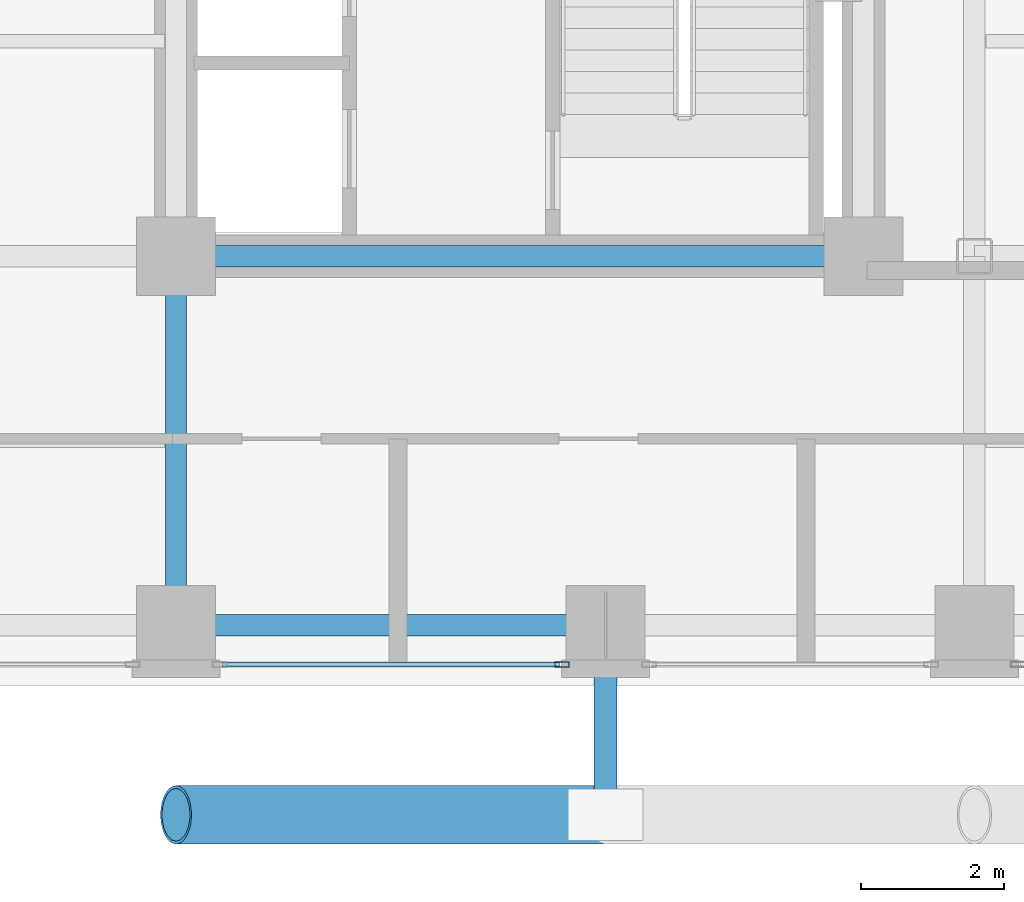
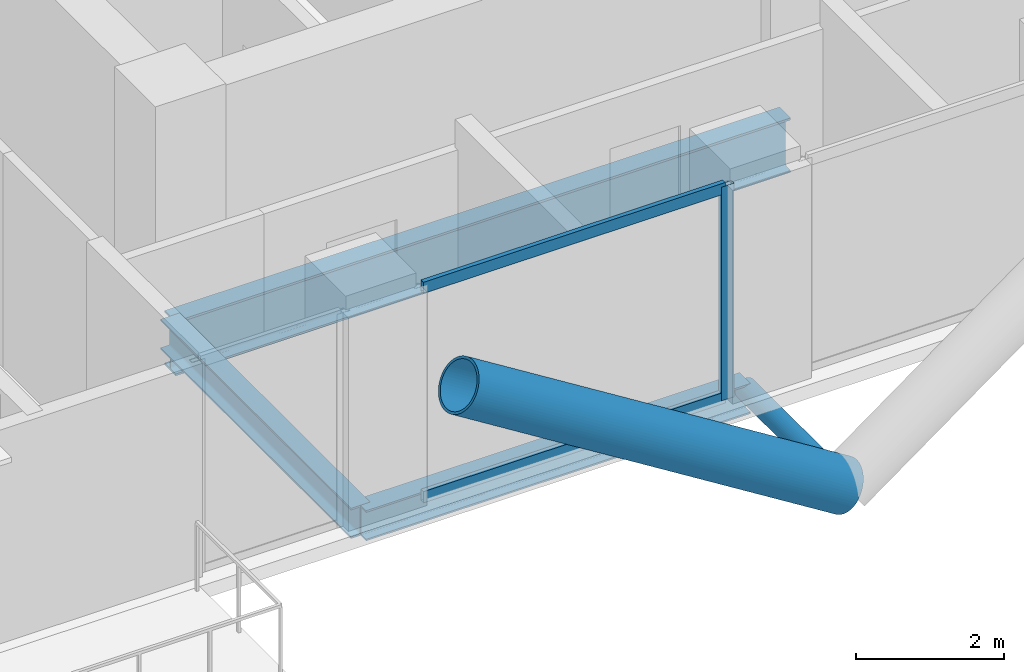
# One storey, part 4 of 24: 5 members, 3 beams, 1 element without a shape of its own.
"""IFC4 building model written with IfcOpenShell, lengths in metres."""

from ifc_helpers import new_model, si_unit, direction, frame, origin, origin_2d, place, context, subcontext, project, spatial, hollow_rectangle, hollow_circle, i_section, extrude, material, layer, layer_set, material_profile, profile_set, type_object, element, aggregate, save


model = new_model("IFC4")

# Units and contexts
model_context = context("Model", 3, precision=1e-05, world=origin(), true_north=direction((0.0, 1.0)))
body_context = subcontext(model_context, "Body", "Model", "MODEL_VIEW")
ifc_project = project(units=[si_unit("LENGTHUNIT", "METRE"), si_unit("AREAUNIT", "SQUARE_METRE"), si_unit("VOLUMEUNIT", "CUBIC_METRE"), si_unit("PLANEANGLEUNIT", "RADIAN"), si_unit("MASSUNIT", "GRAM", prefix="KILO"), si_unit("THERMODYNAMICTEMPERATUREUNIT", "KELVIN"), si_unit("POWERUNIT", "WATT")], contexts=[model_context])

# Site, building, storey
site_placement = place(None, origin())
site = spatial("IfcSite", under=ifc_project, at=site_placement, CompositionType="ELEMENT")
building_placement = place(site_placement, origin())
building = spatial("IfcBuilding", under=site, at=building_placement, Name="Svarakhadi Broadcast Tower", CompositionType="ELEMENT")
storey_placement = place(building_placement, frame((0.0, 0.0, 126.89990234375)))
storey = spatial("IfcBuildingStorey", under=building, at=storey_placement, Name="L30", CompositionType="ELEMENT", Elevation=126.89990234375)

# Curtain wall, members
ifc_material_1 = material(Name="Anodised Bronze Aluminium AA 6063-T6", Category="aluminium")
ifc_layer = layer(ifc_material_1, 0.199951171875)
ifc_layer_set = layer_set([ifc_layer], Name="Anodised Bronze Aluminium AA 6063-T6")
curtain_wall_type = type_object("IfcCurtainWallType", Name="CW_Sys_03", PredefinedType="NOTDEFINED", material=ifc_layer_set)
curtain_wall_placement = place(storey_placement, origin())
curtain_wall = element("IfcCurtainWall", 1, at=curtain_wall_placement, inside=storey, type_object=curtain_wall_type, Name="L30 South Curtain Wall 16 Bay 3", PredefinedType="NOTDEFINED")
ifc_material_profile_1 = material_profile(ifc_material_1, hollow_rectangle(XDim=0.074951171875, YDim=0.199951171875, WallThickness=0.005615234375, at=origin_2d()), Name="ALU MULLION 200x75x6")
ifc_profile_set_1 = profile_set([ifc_material_profile_1], Name="Anodised Bronze Aluminium AA 6063-T6")
member_type_1 = type_object("IfcMemberType", Name="CW_Sys_03_Mul", PredefinedType="MULLION", material=ifc_profile_set_1)
member_1_placement = place(storey_placement, frame((29.392578125, 0.300048828125, 0.0), z_axis=(0.0, 0.0, 1.0), x_axis=(0.0, -1.0, 0.0)))
member_1 = element("IfcMember", 2, at=member_1_placement, type_object=member_type_1, Name="CW-03 mullion 1", PredefinedType="MULLION", context=body_context, shape_type="SweptSolid", body=[
    extrude(hollow_rectangle(XDim=0.074951171875, YDim=0.199951171875, WallThickness=0.005615234375, at=origin_2d()), origin(), (0.0, 0.0, 1.0), 3.525146484375),
])
ifc_material_profile_2 = material_profile(ifc_material_1, hollow_rectangle(XDim=0.070068359375, YDim=0.18505859375, WallThickness=0.0048828125, at=origin_2d()), Name="ALU TRANSOM 185x70x5")
ifc_profile_set_2 = profile_set([ifc_material_profile_2], Name="Anodised Bronze Aluminium AA 6063-T6")
member_type_2 = type_object("IfcMemberType", Name="CW_Sys_03_Trn", PredefinedType="USERDEFINED", material=ifc_profile_set_2)
member_2_placement = place(storey_placement, frame((29.35498046875, 0.300048828125, 0.03515625), z_axis=(-1.0, 0.0, 0.0), x_axis=(0.0, -1.0, 0.0)))
member_2 = element("IfcMember", 3, at=member_2_placement, type_object=member_type_2, Name="CW-03 transom 1.1", ObjectType="TRANSOM", PredefinedType="USERDEFINED", context=body_context, shape_type="SweptSolid", body=[
    extrude(hollow_rectangle(XDim=0.070068359375, YDim=0.18505859375, WallThickness=0.0048828125, at=origin_2d()), origin(), (0.0, 0.0, 1.0), 4.7099609375),
])
member_3_placement = place(storey_placement, frame((29.35498046875, 0.300048828125, 3.489990234375), z_axis=(-1.0, 0.0, 0.0), x_axis=(0.0, -1.0, 0.0)))
member_3 = element("IfcMember", 4, at=member_3_placement, type_object=member_type_2, Name="CW-03 transom 1.2", ObjectType="TRANSOM", PredefinedType="USERDEFINED", context=body_context, shape_type="SweptSolid", body=[
    extrude(hollow_rectangle(XDim=0.070068359375, YDim=0.18505859375, WallThickness=0.0048828125, at=origin_2d()), origin(), (0.0, 0.0, 1.0), 4.7099609375),
])
aggregate(curtain_wall, [member_1, member_2, member_3])

# Members
ifc_material_2 = material(Name="Steel S460ML (IS 2062 E450BR)", Category="steel")
ifc_material_profile_3 = material_profile(ifc_material_2, hollow_circle(Radius=0.406494140625, WallThickness=0.0400390625, at=origin_2d()), Name="CHS 813x40")
ifc_profile_set_3 = profile_set([ifc_material_profile_3], Name="Steel S460ML (IS 2062 E450BR)")
member_type_3 = type_object("IfcMemberType", Name="Exo_Brace_CHS813", PredefinedType="BRACE", material=ifc_profile_set_3)
member_4_placement = place(storey_placement, frame((30.0, -1.800048828125, -0.386962890625), z_axis=(-0.847998304005, 0.0, 0.529998940003), x_axis=(0.0, -1.0, 0.0)))
element("IfcMember", 5, at=member_4_placement, inside=storey, type_object=member_type_3, Name="L30 Exposed Bronze Exoskeleton Diagonal S01", PredefinedType="BRACE", context=body_context, shape_type="SweptSolid", body=[
    extrude(hollow_circle(Radius=0.406494140625, WallThickness=0.0400390625, at=origin_2d()), origin(), (0.0, 0.0, 1.0), 7.075439453125),
])
ifc_material_profile_4 = material_profile(ifc_material_2, hollow_circle(Radius=0.161865234375, WallThickness=0.01611328125, at=origin_2d()), Name="CHS 323.9x16")
ifc_profile_set_4 = profile_set([ifc_material_profile_4], Name="Steel S460ML (IS 2062 E450BR)")
member_type_4 = type_object("IfcMemberType", Name="Exo_Radial_Strut_Z2", PredefinedType="STRUT", material=ifc_profile_set_4)
member_5_placement = place(storey_placement, frame((30.0, -1.800048828125, -0.386962890625), z_axis=(0.0, 1.0, 0.0), x_axis=(-1.0, 0.0, 0.0)))
element("IfcMember", 6, at=member_5_placement, inside=storey, type_object=member_type_4, Name="L30 Exoskeleton Radial Tie Strut S03", PredefinedType="STRUT", context=body_context, shape_type="SweptSolid", body=[
    extrude(hollow_circle(Radius=0.161865234375, WallThickness=0.01611328125, at=origin_2d()), origin(), (0.0, 0.0, 1.0), 2.650146484375),
])

# Beams
ifc_material_3 = material(Name="Steel S355J2 (IS 2062 E350C)", Category="steel")
ifc_material_profile_5 = material_profile(ifc_material_3, i_section(OverallWidth=0.300048828125, OverallDepth=0.5, WebThickness=0.014404296875, FlangeThickness=0.028076171875, FilletRadius=0.027099609375, at=origin_2d()), Name="WPB 500x300x187")
ifc_profile_set_5 = profile_set([ifc_material_profile_5], Name="Steel S355J2 (IS 2062 E350C)")
beam_type_1 = type_object("IfcBeamType", Name="Girder_WPB500", PredefinedType="USERDEFINED", material=ifc_profile_set_5)
beam_1_placement = place(storey_placement, frame((24.0, 0.85009765625, -0.474853515625), z_axis=(1.0, 0.0, 0.0), x_axis=(0.0, 1.0, 0.0)))
element("IfcBeam", 7, at=beam_1_placement, inside=storey, type_object=beam_type_1, Name="L30 Primary E-W Girder G007", ObjectType="GIRDER", PredefinedType="USERDEFINED", context=body_context, shape_type="SweptSolid", body=[
    extrude(i_section(OverallWidth=0.300048828125, OverallDepth=0.5, WebThickness=0.014404296875, FlangeThickness=0.028076171875, FilletRadius=0.027099609375, at=origin_2d()), origin(), (0.0, 0.0, 1.0), 6.0),
])
beam_2_placement = place(storey_placement, frame((24.0, 0.85009765625, -0.474853515625), z_axis=(0.0, 1.0, 0.0), x_axis=(-1.0, 0.0, 0.0)))
element("IfcBeam", 8, at=beam_2_placement, inside=storey, type_object=beam_type_1, Name="L30 Primary N-S Girder G062", ObjectType="GIRDER", PredefinedType="USERDEFINED", context=body_context, shape_type="SweptSolid", body=[
    extrude(i_section(OverallWidth=0.300048828125, OverallDepth=0.5, WebThickness=0.014404296875, FlangeThickness=0.028076171875, FilletRadius=0.027099609375, at=origin_2d()), origin(), (0.0, 0.0, 1.0), 5.14990234375),
])
ifc_material_profile_6 = material_profile(ifc_material_2, i_section(OverallWidth=0.300048828125, OverallDepth=0.89990234375, WebThickness=0.0185546875, FlangeThickness=0.034912109375, FilletRadius=0.030029296875, at=origin_2d()), Name="WPB 900x300x291")
ifc_profile_set_6 = profile_set([ifc_material_profile_6], Name="Steel S460ML (IS 2062 E450BR)")
beam_type_2 = type_object("IfcBeamType", Name="Girder_WPB900", PredefinedType="USERDEFINED", material=ifc_profile_set_6)
beam_3_placement = place(storey_placement, frame((24.0, 6.0, -0.6748046875), z_axis=(1.0, 0.0, 0.0), x_axis=(0.0, 1.0, 0.0)))
element("IfcBeam", 9, at=beam_3_placement, inside=storey, type_object=beam_type_2, Name="L30 Primary E-W Girder G014", ObjectType="GIRDER", PredefinedType="USERDEFINED", context=body_context, shape_type="SweptSolid", body=[
    extrude(i_section(OverallWidth=0.300048828125, OverallDepth=0.89990234375, WebThickness=0.0185546875, FlangeThickness=0.034912109375, FilletRadius=0.030029296875, at=origin_2d()), origin(), (0.0, 0.0, 1.0), 9.60009765625),
])

save(model, "model.ifc")
